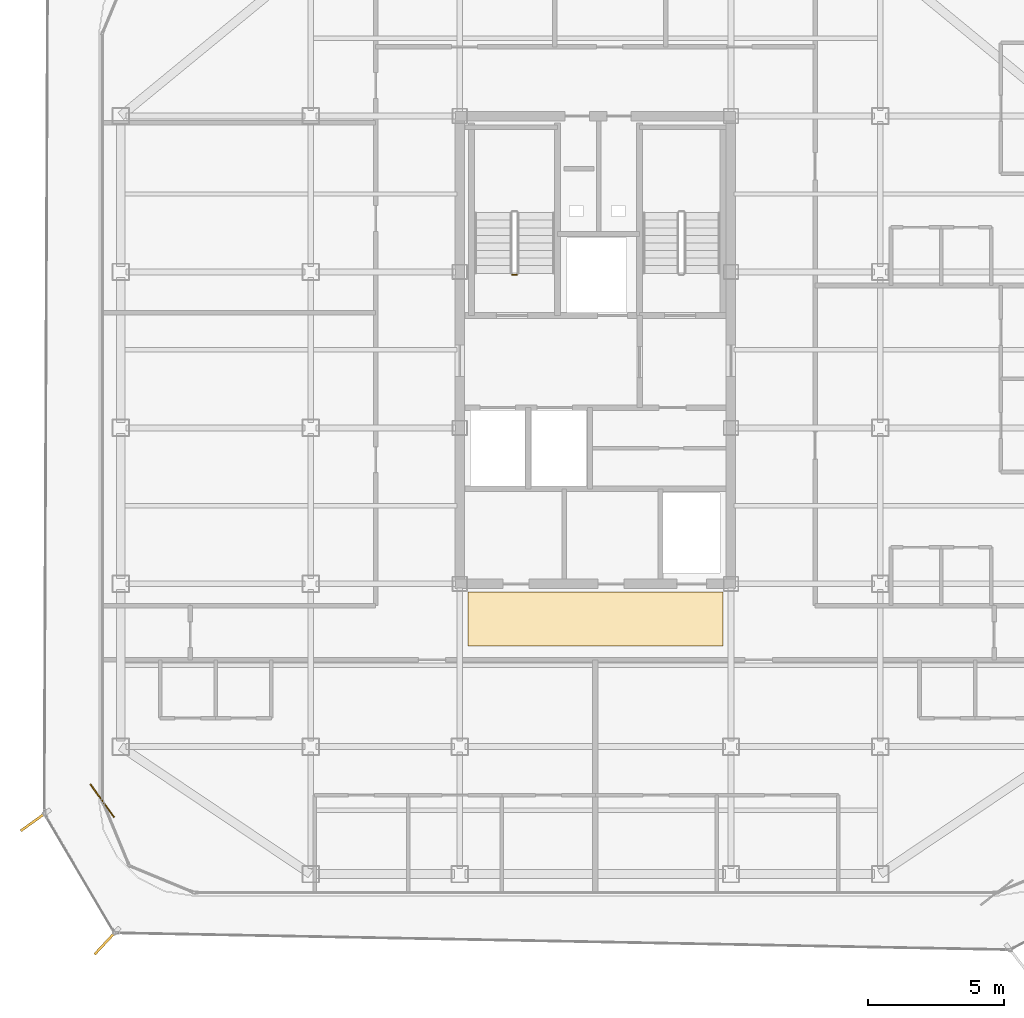
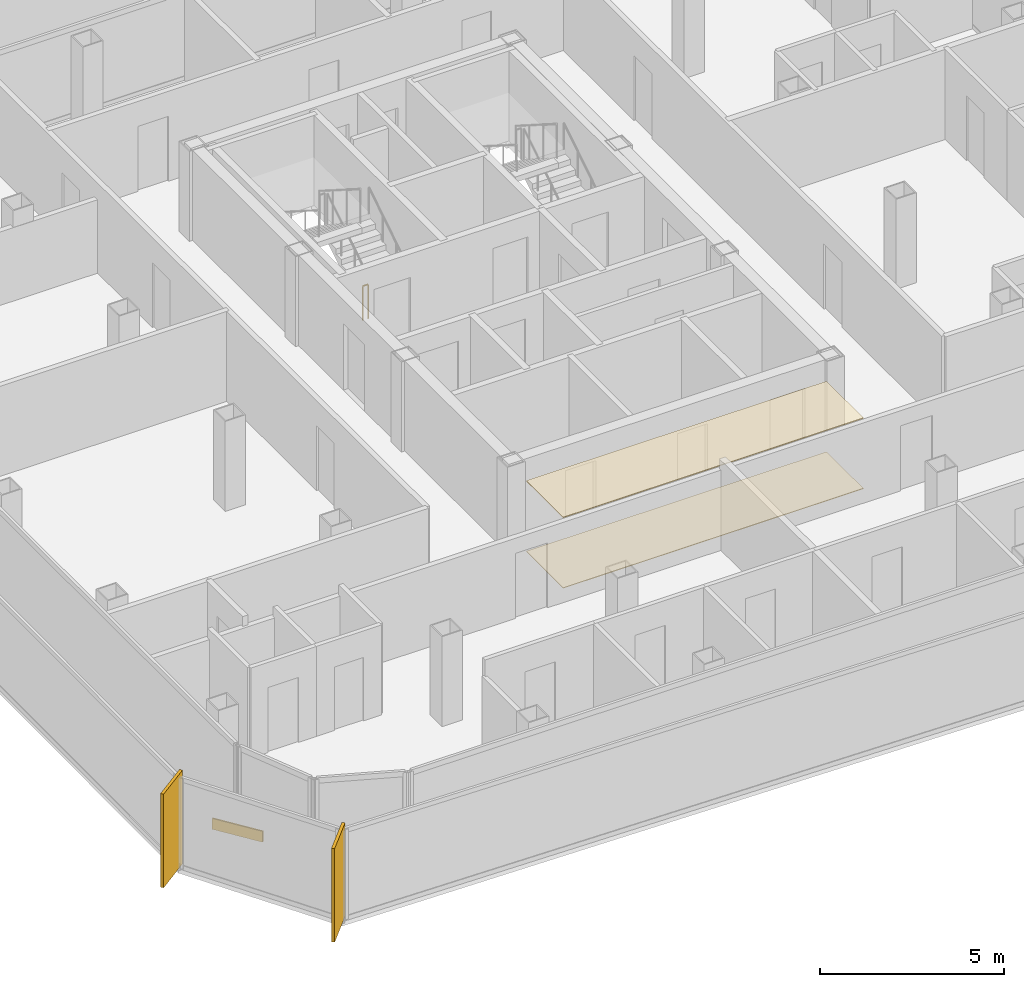
# One storey, part 13 of 15: 3 coverings, 2 shading devices, 1 railing.
"""IFC4 building model written with IfcOpenShell, lengths in metres."""

import ifcopenshell
import ifcopenshell.guid

model = None  # the IFC model being written
_history = None  # IfcOwnerHistory: only IFC2X3 demands one
_inside = {}  # id of a spatial element -> (the spatial element, [elements in it])
_under = {}  # id of a project, library or spatial element -> (it, [spatial elements below it])
_declared = {}  # id of a project -> (the project, [libraries it declares])
_typed = {}  # id of a type object -> (the type object, [elements of that type])
_made_of = {}  # id of a material, layer set ... -> (it, [elements and type objects made of it])


def new_model(schema):
    """Start an empty IFC model of exactly this schema.

    Asked for "IFC4X3", IfcOpenShell would pick the latest addendum, in which some entities
    have other attributes; the version numbers below select the first issue.
    IFC2X3 requires an IfcOwnerHistory on every rooted entity: one is made here for all.
    """
    global model, _history
    if schema == "IFC4X3":
        model = ifcopenshell.file(schema_version=(4, 3, 0, 0))
    else:
        model = ifcopenshell.file(schema=schema)
    _inside.clear()
    _under.clear()
    _declared.clear()
    _typed.clear()
    _made_of.clear()
    _history = None
    if model.schema == "IFC2X3":
        org = make("IfcOrganization", Name="unknown")
        user = make(
            "IfcPersonAndOrganization",
            ThePerson=make("IfcPerson", FamilyName="unknown"),
            TheOrganization=org,
        )
        app = make(
            "IfcApplication",
            ApplicationDeveloper=org,
            Version="unknown",
            ApplicationFullName="unknown",
            ApplicationIdentifier="unknown",
        )
        _history = make(
            "IfcOwnerHistory",
            OwningUser=user,
            OwningApplication=app,
            ChangeAction="ADDED",
            CreationDate=0,
        )
    return model


def make(cls, **values):
    """One entity of the class cls with the attributes given. An attribute that is None is left unset."""
    return model.create_entity(
        cls, **{name: value for name, value in values.items() if value is not None}
    )


def rooted(cls, **values):
    """An entity with a GlobalId (a new one), such as an element, a storey or a relation."""
    return make(cls, GlobalId=ifcopenshell.guid.new(), OwnerHistory=_history, **values)


def si_unit(unit_type, name, prefix=None):
    """IfcSIUnit, for example si_unit("LENGTHUNIT", "METRE", prefix="MILLI")."""
    return make("IfcSIUnit", UnitType=unit_type, Prefix=prefix, Name=name)


def assignment(units):
    """IfcUnitAssignment: the units of a project."""
    return None if units is None else make("IfcUnitAssignment", Units=units)


def point(xyz):
    """IfcCartesianPoint."""
    return None if xyz is None else make("IfcCartesianPoint", Coordinates=xyz)


def direction(xyz):
    """IfcDirection."""
    return None if xyz is None else make("IfcDirection", DirectionRatios=xyz)


def frame(location, z_axis=None, x_axis=None):
    """IfcAxis2Placement3D, a coordinate frame: its origin and axes. An axis left out is left unset."""
    return make(
        "IfcAxis2Placement3D",
        Location=point(location),
        Axis=direction(z_axis),
        RefDirection=direction(x_axis),
    )


def frame_2d(location, x_axis=None):
    """IfcAxis2Placement2D, a coordinate frame in the plane: its origin and x axis."""
    return make(
        "IfcAxis2Placement2D", Location=point(location), RefDirection=direction(x_axis)
    )


def origin():
    """The frame at (0, 0, 0) with its axes left unset."""
    return frame((0.0, 0.0, 0.0))


def origin_2d():
    """The frame at (0, 0) in the plane with its x axis left unset."""
    return frame_2d((0.0, 0.0))


def place(relative_to, where):
    """IfcLocalPlacement: puts the frame where relative to a parent placement (None: the world)."""
    return make(
        "IfcLocalPlacement", PlacementRelTo=relative_to, RelativePlacement=where
    )


def context(
    kind, dimensions, precision=None, world=None, true_north=None, identifier=None
):
    """IfcGeometricRepresentationContext, for example the 3D "Model" context."""
    return make(
        "IfcGeometricRepresentationContext",
        ContextIdentifier=identifier,
        ContextType=kind,
        CoordinateSpaceDimension=dimensions,
        Precision=precision,
        WorldCoordinateSystem=world,
        TrueNorth=true_north,
    )


def subcontext(parent, identifier, kind, view, scale=None):
    """IfcGeometricRepresentationSubContext, for example "Body" below "Model"."""
    return make(
        "IfcGeometricRepresentationSubContext",
        ContextIdentifier=identifier,
        ContextType=kind,
        ParentContext=parent,
        TargetScale=scale,
        TargetView=view,
    )


def project(units=None, contexts=None):
    """IfcProject with its units and contexts."""
    return rooted(
        "IfcProject",
        Name="project",
        RepresentationContexts=contexts,
        UnitsInContext=assignment(units),
    )


def spatial(cls, under=None, at=None, **own):
    """A site, building, storey or space (cls), placed at a placement, below another one or the project."""
    s = rooted(cls, ObjectPlacement=at, **own)
    if under is not None:
        _under.setdefault(under.id(), (under, []))[1].append(s)
    return s


def polyline(points):
    """IfcPolyline through the points."""
    return make("IfcPolyline", Points=[point(p) for p in points])


def profile(cls, at=None, kind="AREA", **sizes):
    """A parametric profile (cls). Its sizes go by their IFC names, for example OverallWidth=200.0."""
    return make(cls, ProfileType=kind, Position=at, **sizes)


def rectangle(**sizes):
    """IfcRectangleProfileDef."""
    return profile("IfcRectangleProfileDef", **sizes)


def circle(**sizes):
    """IfcCircleProfileDef."""
    return profile("IfcCircleProfileDef", **sizes)


def outline(outer, holes=None, kind="AREA"):
    """IfcArbitraryClosedProfileDef: a profile drawn as a closed curve; with holes, ...WithVoids."""
    if holes is None:
        return make("IfcArbitraryClosedProfileDef", ProfileType=kind, OuterCurve=outer)
    return make(
        "IfcArbitraryProfileDefWithVoids",
        ProfileType=kind,
        OuterCurve=outer,
        InnerCurves=holes,
    )


def extrude(swept, where, along, depth):
    """IfcExtrudedAreaSolid: the profile swept, set in the frame where, extruded along a direction by depth."""
    return make(
        "IfcExtrudedAreaSolid",
        SweptArea=swept,
        Position=where,
        ExtrudedDirection=direction(along),
        Depth=depth,
    )


def shape(context_of_items, identifier, shape_type, items):
    """IfcShapeRepresentation: the items that make up one representation, for example the "Body"."""
    return make(
        "IfcShapeRepresentation",
        ContextOfItems=context_of_items,
        RepresentationIdentifier=identifier,
        RepresentationType=shape_type,
        Items=items,
    )


def source(mapping_origin, context_of_items, identifier, shape_type, items):
    """IfcRepresentationMap: a shape defined once, which mapped items show again and again."""
    return make(
        "IfcRepresentationMap",
        MappingOrigin=mapping_origin,
        MappedRepresentation=shape(context_of_items, identifier, shape_type, items),
    )


def transform(
    local_origin,
    x_axis=None,
    y_axis=None,
    z_axis=None,
    scale=None,
    scale2=None,
    scale3=None,
    uniform=True,
):
    """IfcCartesianTransformationOperator3D, or its non-uniform kind. x_axis, y_axis, z_axis: its Axis1, 2, 3."""
    if uniform:
        return make(
            "IfcCartesianTransformationOperator3D",
            Axis1=direction(x_axis),
            Axis2=direction(y_axis),
            LocalOrigin=point(local_origin),
            Scale=scale,
            Axis3=direction(z_axis),
        )
    return make(
        "IfcCartesianTransformationOperator3DnonUniform",
        Axis1=direction(x_axis),
        Axis2=direction(y_axis),
        LocalOrigin=point(local_origin),
        Scale=scale,
        Axis3=direction(z_axis),
        Scale2=scale2,
        Scale3=scale3,
    )


def mapped(mapping_source, mapping_target):
    """IfcMappedItem: shows the shape of a source again, moved by a transform."""
    return make(
        "IfcMappedItem", MappingSource=mapping_source, MappingTarget=mapping_target
    )


def material(Name=None, Category=None):
    """IfcMaterial."""
    return make("IfcMaterial", Name=Name, Category=Category)


def layer(
    of_material, thickness, ventilated=None, Name=None, Category=None, Priority=None
):
    """IfcMaterialLayer: one layer of a wall or slab, of a material (None: an air gap)."""
    return make(
        "IfcMaterialLayer",
        Material=of_material,
        LayerThickness=thickness,
        IsVentilated=ventilated,
        Name=Name,
        Category=Category,
        Priority=Priority,
    )


def layer_set(layers, Name=None):
    """IfcMaterialLayerSet."""
    return make("IfcMaterialLayerSet", MaterialLayers=layers, LayerSetName=Name)


def made_of(thing, what):
    """Note that an element or type object is made of a material, layer set ...; save() writes the relation."""
    if what is not None:
        _made_of.setdefault(what.id(), (what, []))[1].append(thing)
    return thing


def type_object(cls, material=None, **own):
    """A type object (cls), such as IfcWallType, which elements share."""
    return made_of(rooted(cls, **own), material)


def element(
    cls,
    number,
    at=None,
    inside=None,
    cuts=None,
    type_object=None,
    material=None,
    context=None,
    identifier="Body",
    shape_type=None,
    held_by="IfcProductDefinitionShape",
    body=None,
    shapes=None,
    **own,
):
    """One element of the class cls, such as IfcWall. Its Tag is "e" and its number.

    at: its placement. inside: the storey or other place that contains it. cuts: it is an
    opening in that element (IfcRelVoidsElement). A single representation is given by context,
    identifier, shape_type and body (its items); several are given by shapes. held_by: the class
    of the entity that holds the representations. save() writes the other relations.
    """
    e = rooted(cls, Tag="e%d" % number, ObjectPlacement=at, **own)
    if body is not None:
        shapes = [shape(context, identifier, shape_type, body)]
    if shapes is not None:
        e.Representation = make(held_by, Representations=shapes)
    if inside is not None:
        _inside.setdefault(inside.id(), (inside, []))[1].append(e)
    if cuts is not None:
        rooted(
            "IfcRelVoidsElement", RelatingBuildingElement=cuts, RelatedOpeningElement=e
        )
    if type_object is not None:
        _typed.setdefault(type_object.id(), (type_object, []))[1].append(e)
    return made_of(e, material)


def aggregate(whole, parts):
    """IfcRelAggregates: a whole, such as a stair, and the parts it consists of."""
    return rooted("IfcRelAggregates", RelatingObject=whole, RelatedObjects=parts)


def save(model, path):
    """Write the relations noted so far, then the file.

    IfcRelAggregates (storeys below a building ...), IfcRelContainedInSpatialStructure (elements
    in a storey), IfcRelDefinesByType, IfcRelAssociatesMaterial and IfcRelDeclares: one each for
    every whole, place, type object, material and project.
    """
    for whole, parts in _under.values():
        aggregate(whole, parts)
    for where, things in _inside.values():
        rooted(
            "IfcRelContainedInSpatialStructure",
            RelatedElements=things,
            RelatingStructure=where,
        )
    for kind, things in _typed.values():
        rooted("IfcRelDefinesByType", RelatedObjects=things, RelatingType=kind)
    for what, things in _made_of.values():
        rooted("IfcRelAssociatesMaterial", RelatedObjects=things, RelatingMaterial=what)
    for by, libraries in _declared.values():
        rooted("IfcRelDeclares", RelatingContext=by, RelatedDefinitions=libraries)
    model.write(path)


model = new_model("IFC4")

# Units and contexts
model_context = context("Model", 3, precision=1e-05, world=origin(), true_north=direction((0.0, 1.0)))
body_context = subcontext(model_context, "Body", "Model", "MODEL_VIEW")
ifc_project = project(units=[si_unit("LENGTHUNIT", "METRE"), si_unit("AREAUNIT", "SQUARE_METRE"), si_unit("VOLUMEUNIT", "CUBIC_METRE"), si_unit("PLANEANGLEUNIT", "RADIAN"), si_unit("MASSUNIT", "GRAM", prefix="KILO")], contexts=[model_context])

# Site, building, storey
site_placement = place(None, origin())
site = spatial("IfcSite", under=ifc_project, at=site_placement, CompositionType="ELEMENT")
building_placement = place(site_placement, origin())
building = spatial("IfcBuilding", under=site, at=building_placement, Name="Kolveth Station Tower", CompositionType="ELEMENT")
storey_placement = place(building_placement, frame((0.0, 0.0, 242.5)))
storey = spatial("IfcBuildingStorey", under=building, at=storey_placement, Name="L69", CompositionType="ELEMENT", Elevation=242.5)

# Coverings
ifc_material_1 = material(Name="Acoustic mineral-fibre ceiling tile")
ifc_layer_1 = layer(ifc_material_1, 0.02490234375)
ifc_layer_set_1 = layer_set([ifc_layer_1], Name="Acoustic mineral-fibre ceiling tile")
covering_type_1 = type_object("IfcCoveringType", Name="Ceil_CL1", PredefinedType="CEILING", material=ifc_layer_set_1)
covering_1_placement = place(storey_placement, frame((0.0, 0.0, 2.330078125)))
element("IfcCovering", 1, at=covering_1_placement, inside=storey, type_object=covering_type_1, Name="L69 Lift Lobby Suspended Ceiling", PredefinedType="CEILING", context=body_context, shape_type="SweptSolid", body=[
    extrude(outline(polyline([(18.800048828125, 9.199951171875), (28.199951171875, 9.199951171875), (28.199951171875, 11.199951171875), (18.800048828125, 11.199951171875), (18.800048828125, 9.199951171875)])), origin(), (0.0, 0.0, 1.0), 0.02490234375),
])
ifc_material_2 = material(Name="Honed terrazzo flooring")
ifc_layer_2 = layer(ifc_material_2, 0.02001953125)
ifc_layer_set_2 = layer_set([ifc_layer_2], Name="Honed terrazzo flooring")
covering_type_2 = type_object("IfcCoveringType", Name="Floor_FL1", PredefinedType="FLOORING", material=ifc_layer_set_2)
covering_2_placement = place(storey_placement, origin())
element("IfcCovering", 2, at=covering_2_placement, inside=storey, type_object=covering_type_2, Name="L69 Lift Lobby Floor Finish", PredefinedType="FLOORING", context=body_context, shape_type="SweptSolid", body=[
    extrude(outline(polyline([(18.800048828125, 9.199951171875), (28.199951171875, 9.199951171875), (28.199951171875, 11.199951171875), (18.800048828125, 11.199951171875), (18.800048828125, 9.199951171875)])), origin(), (0.0, 0.0, 1.0), 0.02001953125),
])

# Railing
ifc_material_3 = material(Name="Painted Steel S355 balustrade", Category="steel")
railing_type = type_object("IfcRailingType", Name="Guard_GR2", PredefinedType="BALUSTRADE", material=ifc_material_3)
railing_placement = place(storey_placement, frame((20.60009765625, 22.89990234375, 0.0)))
element("IfcRailing", 3, at=railing_placement, inside=storey, type_object=railing_type, Name="L69 ST1 stair guard 4", PredefinedType="BALUSTRADE", context=body_context, shape_type="SweptSolid", body=[
    extrude(circle(Radius=0.02392578125, at=origin_2d()), frame((0.0, 0.0, 1.1259765625), z_axis=(-1.0, 0.0, 0.0), x_axis=(0.0, -1.0, 0.0)), (0.0, 0.0, 1.0), 0.16015625),
    extrude(circle(Radius=0.02099609375, at=origin_2d()), origin(), (0.0, 0.0, 1.0), 1.101806640625),
    extrude(circle(Radius=0.02099609375, at=origin_2d()), frame((-0.16015625, 0.0, 0.0)), (0.0, 0.0, 1.0), 1.101806640625),
])

# Shading devices
ifc_material_4 = material(Name="Black anodized aluminium 6063-T6", Category="aluminium")
shading_device_type = type_object("IfcShadingDeviceType", Name="FIN_VF1", PredefinedType="USERDEFINED", material=ifc_material_4)
shared_shape_1 = source(origin(), body_context, "Body", "SweptSolid", [
    extrude(rectangle(XDim=1.25, YDim=0.090087890625, at=origin_2d()), origin(), (0.0, 0.0, 1.0), 3.10009765625),
])
for number, where, z_axis, x_axis, name in (
    (4, (2.818115234375, 2.757080078125, 0.0), (0.0, 0.0, 1.0), (-0.811471998801, -0.584391303119, 0.0), "L69 Dark-Aluminium Solar Fin 7"),
    (5, (5.462890625, -1.701904296875, 0.0), (0.0, 0.0, 1.0), (-0.681870704375, -0.731472721648, 0.0), "L69 Dark-Aluminium Solar Fin 8"),
):
    element("IfcShadingDevice", number, at=place(storey_placement, frame(where, z_axis=z_axis, x_axis=x_axis)), inside=storey, type_object=shading_device_type, Name=name, ObjectType="FIN", PredefinedType="USERDEFINED", context=body_context, shape_type="MappedRepresentation", body=[
        mapped(shared_shape_1, transform((0.0, 0.0, 0.0), x_axis=(1.0, 0.0, 0.0), y_axis=(0.0, 1.0, 0.0), z_axis=(0.0, 0.0, 1.0), scale=1.0)),
    ])

# Covering
ifc_material_5 = material(Name="Charcoal anodized aluminium spandrel cladding", Category="aluminium")
ifc_layer_3 = layer(ifc_material_5, 0.044921875)
ifc_layer_set_3 = layer_set([ifc_layer_3], Name="Charcoal anodized aluminium spandrel cladding")
covering_type_3 = type_object("IfcCoveringType", Name="Clad_CD1", PredefinedType="CLADDING", material=ifc_layer_set_3)
shared_shape_2 = source(origin(), body_context, "Body", "SweptSolid", [
    extrude(rectangle(XDim=1.5, YDim=0.044921875, at=origin_2d()), origin(), (0.0, 0.0, 1.0), 0.360107421875),
])
covering_3_placement = place(storey_placement, frame((5.320068359375, 3.5, 0.0), z_axis=(0.0, 0.0, 1.0), x_axis=(0.584391303119, -0.811471998801, 0.0)))
element("IfcCovering", 6, at=covering_3_placement, inside=storey, type_object=covering_type_3, Name="L69 Spandrel Edge Cladding 7", PredefinedType="CLADDING", context=body_context, shape_type="MappedRepresentation", body=[
    mapped(shared_shape_2, transform((0.0, 0.0, 0.0), x_axis=(1.0, 0.0, 0.0), y_axis=(0.0, 1.0, 0.0), z_axis=(0.0, 0.0, 1.0), scale=1.0)),
])

save(model, "model.ifc")
